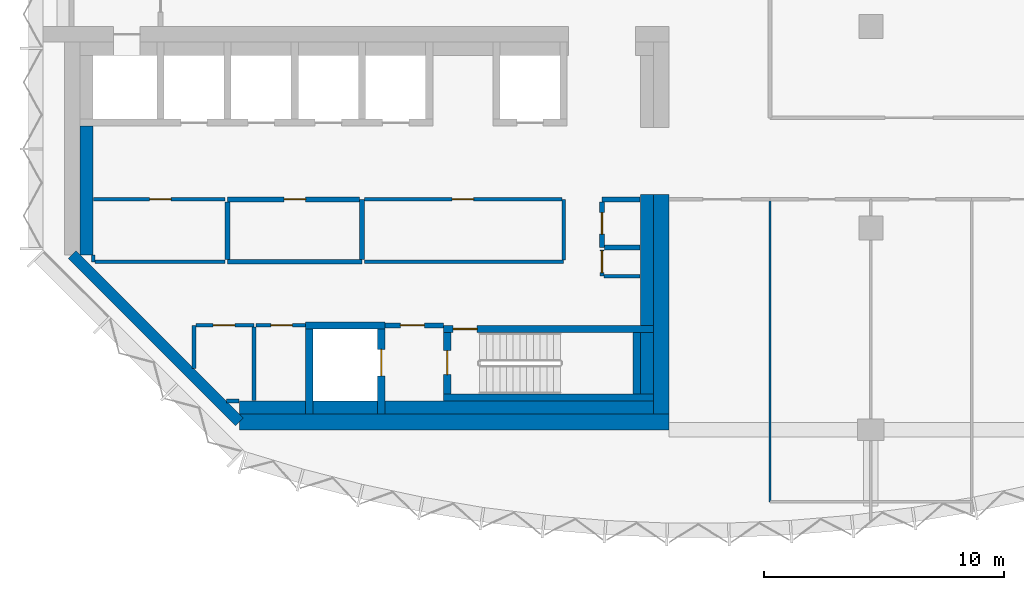
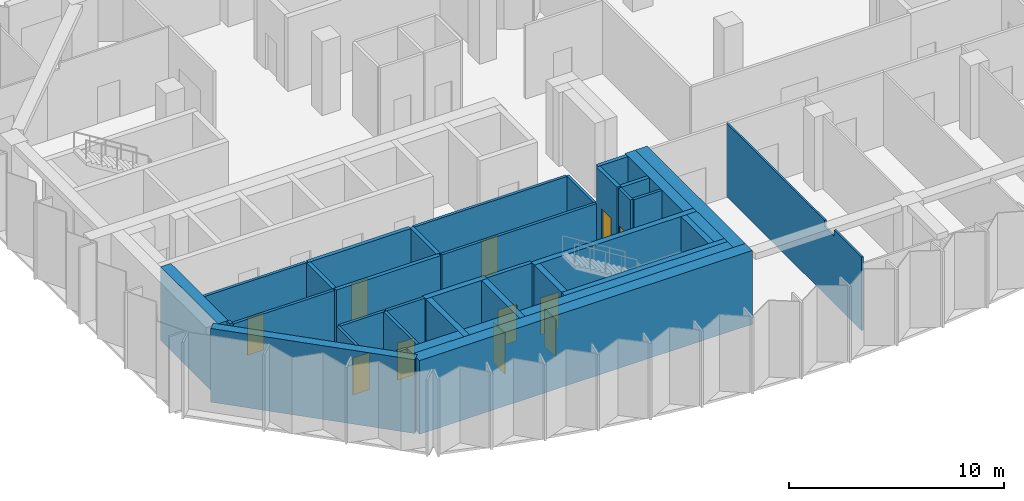
# One storey, part 8 of 15: 38 walls, 11 doors, 11 openings.
"""IFC4 building model written with IfcOpenShell, lengths in metres."""

import ifcopenshell
import ifcopenshell.guid

model = None  # the IFC model being written
_history = None  # IfcOwnerHistory: only IFC2X3 demands one
_inside = {}  # id of a spatial element -> (the spatial element, [elements in it])
_under = {}  # id of a project, library or spatial element -> (it, [spatial elements below it])
_declared = {}  # id of a project -> (the project, [libraries it declares])
_typed = {}  # id of a type object -> (the type object, [elements of that type])
_made_of = {}  # id of a material, layer set ... -> (it, [elements and type objects made of it])


def new_model(schema):
    """Start an empty IFC model of exactly this schema.

    Asked for "IFC4X3", IfcOpenShell would pick the latest addendum, in which some entities
    have other attributes; the version numbers below select the first issue.
    IFC2X3 requires an IfcOwnerHistory on every rooted entity: one is made here for all.
    """
    global model, _history
    if schema == "IFC4X3":
        model = ifcopenshell.file(schema_version=(4, 3, 0, 0))
    else:
        model = ifcopenshell.file(schema=schema)
    _inside.clear()
    _under.clear()
    _declared.clear()
    _typed.clear()
    _made_of.clear()
    _history = None
    if model.schema == "IFC2X3":
        org = make("IfcOrganization", Name="unknown")
        user = make(
            "IfcPersonAndOrganization",
            ThePerson=make("IfcPerson", FamilyName="unknown"),
            TheOrganization=org,
        )
        app = make(
            "IfcApplication",
            ApplicationDeveloper=org,
            Version="unknown",
            ApplicationFullName="unknown",
            ApplicationIdentifier="unknown",
        )
        _history = make(
            "IfcOwnerHistory",
            OwningUser=user,
            OwningApplication=app,
            ChangeAction="ADDED",
            CreationDate=0,
        )
    return model


def make(cls, **values):
    """One entity of the class cls with the attributes given. An attribute that is None is left unset."""
    return model.create_entity(
        cls, **{name: value for name, value in values.items() if value is not None}
    )


def rooted(cls, **values):
    """An entity with a GlobalId (a new one), such as an element, a storey or a relation."""
    return make(cls, GlobalId=ifcopenshell.guid.new(), OwnerHistory=_history, **values)


def si_unit(unit_type, name, prefix=None):
    """IfcSIUnit, for example si_unit("LENGTHUNIT", "METRE", prefix="MILLI")."""
    return make("IfcSIUnit", UnitType=unit_type, Prefix=prefix, Name=name)


def assignment(units):
    """IfcUnitAssignment: the units of a project."""
    return None if units is None else make("IfcUnitAssignment", Units=units)


def point(xyz):
    """IfcCartesianPoint."""
    return None if xyz is None else make("IfcCartesianPoint", Coordinates=xyz)


def direction(xyz):
    """IfcDirection."""
    return None if xyz is None else make("IfcDirection", DirectionRatios=xyz)


def frame(location, z_axis=None, x_axis=None):
    """IfcAxis2Placement3D, a coordinate frame: its origin and axes. An axis left out is left unset."""
    return make(
        "IfcAxis2Placement3D",
        Location=point(location),
        Axis=direction(z_axis),
        RefDirection=direction(x_axis),
    )


def frame_2d(location, x_axis=None):
    """IfcAxis2Placement2D, a coordinate frame in the plane: its origin and x axis."""
    return make(
        "IfcAxis2Placement2D", Location=point(location), RefDirection=direction(x_axis)
    )


def origin():
    """The frame at (0, 0, 0) with its axes left unset."""
    return frame((0.0, 0.0, 0.0))


def place(relative_to, where):
    """IfcLocalPlacement: puts the frame where relative to a parent placement (None: the world)."""
    return make(
        "IfcLocalPlacement", PlacementRelTo=relative_to, RelativePlacement=where
    )


def context(
    kind, dimensions, precision=None, world=None, true_north=None, identifier=None
):
    """IfcGeometricRepresentationContext, for example the 3D "Model" context."""
    return make(
        "IfcGeometricRepresentationContext",
        ContextIdentifier=identifier,
        ContextType=kind,
        CoordinateSpaceDimension=dimensions,
        Precision=precision,
        WorldCoordinateSystem=world,
        TrueNorth=true_north,
    )


def subcontext(parent, identifier, kind, view, scale=None):
    """IfcGeometricRepresentationSubContext, for example "Body" below "Model"."""
    return make(
        "IfcGeometricRepresentationSubContext",
        ContextIdentifier=identifier,
        ContextType=kind,
        ParentContext=parent,
        TargetScale=scale,
        TargetView=view,
    )


def project(units=None, contexts=None):
    """IfcProject with its units and contexts."""
    return rooted(
        "IfcProject",
        Name="project",
        RepresentationContexts=contexts,
        UnitsInContext=assignment(units),
    )


def spatial(cls, under=None, at=None, **own):
    """A site, building, storey or space (cls), placed at a placement, below another one or the project."""
    s = rooted(cls, ObjectPlacement=at, **own)
    if under is not None:
        _under.setdefault(under.id(), (under, []))[1].append(s)
    return s


def polyline(points):
    """IfcPolyline through the points."""
    return make("IfcPolyline", Points=[point(p) for p in points])


def profile(cls, at=None, kind="AREA", **sizes):
    """A parametric profile (cls). Its sizes go by their IFC names, for example OverallWidth=200.0."""
    return make(cls, ProfileType=kind, Position=at, **sizes)


def rectangle(**sizes):
    """IfcRectangleProfileDef."""
    return profile("IfcRectangleProfileDef", **sizes)


def outline(outer, holes=None, kind="AREA"):
    """IfcArbitraryClosedProfileDef: a profile drawn as a closed curve; with holes, ...WithVoids."""
    if holes is None:
        return make("IfcArbitraryClosedProfileDef", ProfileType=kind, OuterCurve=outer)
    return make(
        "IfcArbitraryProfileDefWithVoids",
        ProfileType=kind,
        OuterCurve=outer,
        InnerCurves=holes,
    )


def extrude(swept, where, along, depth):
    """IfcExtrudedAreaSolid: the profile swept, set in the frame where, extruded along a direction by depth."""
    return make(
        "IfcExtrudedAreaSolid",
        SweptArea=swept,
        Position=where,
        ExtrudedDirection=direction(along),
        Depth=depth,
    )


def shape(context_of_items, identifier, shape_type, items):
    """IfcShapeRepresentation: the items that make up one representation, for example the "Body"."""
    return make(
        "IfcShapeRepresentation",
        ContextOfItems=context_of_items,
        RepresentationIdentifier=identifier,
        RepresentationType=shape_type,
        Items=items,
    )


def material(Name=None, Category=None):
    """IfcMaterial."""
    return make("IfcMaterial", Name=Name, Category=Category)


def layer(
    of_material, thickness, ventilated=None, Name=None, Category=None, Priority=None
):
    """IfcMaterialLayer: one layer of a wall or slab, of a material (None: an air gap)."""
    return make(
        "IfcMaterialLayer",
        Material=of_material,
        LayerThickness=thickness,
        IsVentilated=ventilated,
        Name=Name,
        Category=Category,
        Priority=Priority,
    )


def layer_set(layers, Name=None):
    """IfcMaterialLayerSet."""
    return make("IfcMaterialLayerSet", MaterialLayers=layers, LayerSetName=Name)


def made_of(thing, what):
    """Note that an element or type object is made of a material, layer set ...; save() writes the relation."""
    if what is not None:
        _made_of.setdefault(what.id(), (what, []))[1].append(thing)
    return thing


def type_object(cls, material=None, **own):
    """A type object (cls), such as IfcWallType, which elements share."""
    return made_of(rooted(cls, **own), material)


def element(
    cls,
    number,
    at=None,
    inside=None,
    cuts=None,
    type_object=None,
    material=None,
    context=None,
    identifier="Body",
    shape_type=None,
    held_by="IfcProductDefinitionShape",
    body=None,
    shapes=None,
    **own,
):
    """One element of the class cls, such as IfcWall. Its Tag is "e" and its number.

    at: its placement. inside: the storey or other place that contains it. cuts: it is an
    opening in that element (IfcRelVoidsElement). A single representation is given by context,
    identifier, shape_type and body (its items); several are given by shapes. held_by: the class
    of the entity that holds the representations. save() writes the other relations.
    """
    e = rooted(cls, Tag="e%d" % number, ObjectPlacement=at, **own)
    if body is not None:
        shapes = [shape(context, identifier, shape_type, body)]
    if shapes is not None:
        e.Representation = make(held_by, Representations=shapes)
    if inside is not None:
        _inside.setdefault(inside.id(), (inside, []))[1].append(e)
    if cuts is not None:
        rooted(
            "IfcRelVoidsElement", RelatingBuildingElement=cuts, RelatedOpeningElement=e
        )
    if type_object is not None:
        _typed.setdefault(type_object.id(), (type_object, []))[1].append(e)
    return made_of(e, material)


def fill(opening, filler):
    """IfcRelFillsElement: the door or window that sits in an opening."""
    return rooted(
        "IfcRelFillsElement",
        RelatingOpeningElement=opening,
        RelatedBuildingElement=filler,
    )


def aggregate(whole, parts):
    """IfcRelAggregates: a whole, such as a stair, and the parts it consists of."""
    return rooted("IfcRelAggregates", RelatingObject=whole, RelatedObjects=parts)


def save(model, path):
    """Write the relations noted so far, then the file.

    IfcRelAggregates (storeys below a building ...), IfcRelContainedInSpatialStructure (elements
    in a storey), IfcRelDefinesByType, IfcRelAssociatesMaterial and IfcRelDeclares: one each for
    every whole, place, type object, material and project.
    """
    for whole, parts in _under.values():
        aggregate(whole, parts)
    for where, things in _inside.values():
        rooted(
            "IfcRelContainedInSpatialStructure",
            RelatedElements=things,
            RelatingStructure=where,
        )
    for kind, things in _typed.values():
        rooted("IfcRelDefinesByType", RelatedObjects=things, RelatingType=kind)
    for what, things in _made_of.values():
        rooted("IfcRelAssociatesMaterial", RelatedObjects=things, RelatingMaterial=what)
    for by, libraries in _declared.values():
        rooted("IfcRelDeclares", RelatingContext=by, RelatedDefinitions=libraries)
    model.write(path)


model = new_model("IFC4")

# Units and contexts
model_context = context("Model", 3, precision=1e-05, world=origin(), true_north=direction((0.0, 1.0)))
body_context = subcontext(model_context, "Body", "Model", "MODEL_VIEW")
ifc_project = project(units=[si_unit("LENGTHUNIT", "METRE"), si_unit("AREAUNIT", "SQUARE_METRE"), si_unit("VOLUMEUNIT", "CUBIC_METRE"), si_unit("PLANEANGLEUNIT", "RADIAN"), si_unit("MASSUNIT", "GRAM", prefix="KILO")], contexts=[model_context])

# Site, building, storey
site_placement = place(None, origin())
site = spatial("IfcSite", under=ifc_project, at=site_placement, CompositionType="ELEMENT")
building_placement = place(site_placement, origin())
building = spatial("IfcBuilding", under=site, at=building_placement, Name="Brevane Broadcast Tower", CompositionType="ELEMENT")
storey_placement = place(building_placement, frame((0.0, 0.0, 206.39990234375)))
storey = spatial("IfcBuildingStorey", under=building, at=storey_placement, Name="L52", CompositionType="ELEMENT", Elevation=206.39990234375)

# Walls
ifc_material_1 = material(Name="Concrete C32/40", Category="concrete")
ifc_layer_1 = layer(ifc_material_1, 0.550048828125)
ifc_layer_set_1 = layer_set([ifc_layer_1], Name="Core chase wall 550 mm")
wall_type_1 = type_object("IfcWallType", Name="Core chase wall 550 mm", PredefinedType="PARTITIONING", material=ifc_layer_set_1)
wall_1_placement = place(storey_placement, frame((0.925048828125, 7.286376953125, 0.0), z_axis=(0.0, 0.0, 1.0), x_axis=(0.0, 1.0, 0.0)))
element("IfcWall", 1, at=wall_1_placement, inside=storey, type_object=wall_type_1, Name="L52 chase wall LW-1", PredefinedType="PARTITIONING", context=body_context, shape_type="SweptSolid", body=[
    extrude(rectangle(XDim=5.363525390625, YDim=0.550048828125, at=frame_2d((2.681640625, 0.0))), origin(), (0.0, 0.0, 1.0), 4.2001953125),
])
wall_2_placement = place(storey_placement, frame((7.286376953125, 0.925048828125, 0.0), z_axis=(0.0, 0.0, 1.0), x_axis=(1.0, 0.0, 0.0)))
element("IfcWall", 2, at=wall_2_placement, inside=storey, type_object=wall_type_1, Name="L52 chase wall LS-1", PredefinedType="PARTITIONING", context=body_context, shape_type="SweptSolid", body=[
    extrude(rectangle(XDim=2.763671875, YDim=0.550048828125, at=frame_2d((1.3818359375, 0.0))), origin(), (0.0, 0.0, 1.0), 4.2001953125),
])
wall_3_placement = place(storey_placement, frame((10.35009765625, 0.925048828125, 0.0), z_axis=(0.0, 0.0, 1.0), x_axis=(1.0, 0.0, 0.0)))
element("IfcWall", 3, at=wall_3_placement, inside=storey, type_object=wall_type_1, Name="L52 chase wall LS-2-1", PredefinedType="PARTITIONING", context=body_context, shape_type="SweptSolid", body=[
    extrude(rectangle(XDim=2.699951171875, YDim=0.550048828125, at=frame_2d((1.35009765625, 0.0))), origin(), (0.0, 0.0, 1.0), 4.2001953125),
])
wall_4_placement = place(storey_placement, frame((13.35009765625, 0.925048828125, 0.0), z_axis=(0.0, 0.0, 1.0), x_axis=(1.0, 0.0, 0.0)))
element("IfcWall", 4, at=wall_4_placement, inside=storey, type_object=wall_type_1, Name="L52 chase wall LS-2-2", PredefinedType="PARTITIONING", context=body_context, shape_type="SweptSolid", body=[
    extrude(rectangle(XDim=11.199951171875, YDim=0.550048828125, at=frame_2d((5.60009765625, 0.0))), origin(), (0.0, 0.0, 1.0), 4.2001953125),
])
wall_5_placement = place(storey_placement, frame((24.27490234375, 1.5, 0.0), z_axis=(0.0, 0.0, 1.0), x_axis=(0.0, 1.0, 0.0)))
element("IfcWall", 5, at=wall_5_placement, inside=storey, type_object=wall_type_1, Name="L52 chase wall LE1-2-1", PredefinedType="PARTITIONING", context=body_context, shape_type="SweptSolid", body=[
    extrude(rectangle(XDim=2.550048828125, YDim=0.550048828125, at=frame_2d((1.27490234375, 0.0))), origin(), (0.0, 0.0, 1.0), 4.2001953125),
])
wall_6_placement = place(storey_placement, frame((24.27490234375, 4.35009765625, 0.0), z_axis=(0.0, 0.0, 1.0), x_axis=(0.0, 1.0, 0.0)))
element("IfcWall", 6, at=wall_6_placement, inside=storey, type_object=wall_type_1, Name="L52 chase wall LE1-2-2", PredefinedType="PARTITIONING", context=body_context, shape_type="SweptSolid", body=[
    extrude(rectangle(XDim=5.449951171875, YDim=0.550048828125, at=frame_2d((2.72509765625, 0.0))), origin(), (0.0, 0.0, 1.0), 4.2001953125),
])
ifc_material_2 = material(Name="Gypsum board on steel studs", Category="steel")
ifc_layer_2 = layer(ifc_material_2, 0.14990234375)
ifc_layer_set_2 = layer_set([ifc_layer_2], Name="Core fire partition 150 mm")
wall_type_2 = type_object("IfcWallType", Name="Core fire partition 150 mm", PredefinedType="PARTITIONING", material=ifc_layer_set_2)
wall_7_placement = place(storey_placement, frame((5.39990234375, 2.553466796875, 0.0), z_axis=(0.0, 0.0, 1.0), x_axis=(0.0, 1.0, 0.0)))
element("IfcWall", 7, at=wall_7_placement, inside=storey, type_object=wall_type_2, Name="L52 partition wall P11", PredefinedType="PARTITIONING", context=body_context, shape_type="SweptSolid", body=[
    extrude(rectangle(XDim=1.796630859375, YDim=0.14990234375, at=frame_2d((0.8984375, 0.0))), origin(), (0.0, 0.0, 1.0), 4.2001953125),
])

# Wall, opening, door
wall_8_placement = place(storey_placement, frame((5.47509765625, 4.35009765625, 0.0), z_axis=(0.0, 0.0, 1.0), x_axis=(1.0, 0.0, 0.0)))
wall_8 = element("IfcWall", 8, at=wall_8_placement, inside=storey, type_object=wall_type_2, Name="L52 partition wall P12", PredefinedType="PARTITIONING", context=body_context, shape_type="SweptSolid", body=[
    extrude(rectangle(XDim=2.4248046875, YDim=0.14990234375, at=frame_2d((1.21240234375, 0.0))), origin(), (0.0, 0.0, 1.0), 4.2001953125),
])
opening_1_placement = place(wall_8_placement, frame((0.72509765625, 0.0, 0.0)))
opening_1 = element("IfcOpeningElement", 9, at=opening_1_placement, cuts=wall_8, Name="Opening L52-K14", PredefinedType="OPENING", context=body_context, shape_type="SweptSolid", body=[
    extrude(rectangle(XDim=0.89990234375, YDim=2.10009765625, at=frame_2d((0.449951171875, 1.050048828125))), frame((0.0, 0.0849609375, 0.0), z_axis=(0.0, -1.0, 0.0), x_axis=(1.0, 0.0, 0.0)), (0.0, 0.0, 1.0), 0.169921875),
])
ifc_material_3 = material(Name="Timber", Category="wood")
door_type_1 = type_object("IfcDoorType", Name="Toilet door 900 x 2100", OperationType="SINGLE_SWING_LEFT", PredefinedType="DOOR", material=ifc_material_3)
door_1_placement = place(opening_1_placement, origin())
door_1 = element("IfcDoor", 10, at=door_1_placement, inside=storey, type_object=door_type_1, Name="Door L52-K14", OperationType="SINGLE_SWING_LEFT", OverallHeight=2.10009765625, OverallWidth=0.89990234375, PredefinedType="DOOR", context=body_context, shape_type="SweptSolid", body=[
    extrude(rectangle(XDim=0.89990234375, YDim=2.10009765625, at=frame_2d((0.449951171875, 1.050048828125))), frame((0.0, 0.02490234375, 0.0), z_axis=(0.0, -1.0, 0.0), x_axis=(1.0, 0.0, 0.0)), (0.0, 0.0, 1.0), 0.050048828125),
])
fill(opening_1, door_1)

# Walls
wall_9_placement = place(storey_placement, frame((7.89990234375, 4.27490234375, 0.0), z_axis=(0.0, 0.0, 1.0), x_axis=(0.0, -1.0, 0.0)))
element("IfcWall", 11, at=wall_9_placement, inside=storey, type_object=wall_type_2, Name="L52 partition wall P13", PredefinedType="PARTITIONING", context=body_context, shape_type="SweptSolid", body=[
    extrude(rectangle(XDim=3.06298828125, YDim=0.14990234375, at=frame_2d((1.531494140625, 0.0))), origin(), (0.0, 0.0, 1.0), 4.2001953125),
])
wall_10_placement = place(storey_placement, frame((7.2744140625, 1.199951171875, 0.0), z_axis=(0.0, 0.0, 1.0), x_axis=(-1.0, 0.0, 0.0)))
element("IfcWall", 12, at=wall_10_placement, inside=storey, type_object=wall_type_2, Name="L52 partition wall P14", PredefinedType="PARTITIONING", context=body_context, shape_type="SweptSolid", body=[
    extrude(rectangle(XDim=0.52099609375, YDim=0.14990234375, at=frame_2d((0.260498046875, 0.0))), origin(), (0.0, 0.0, 1.0), 4.2001953125),
])

# Wall, opening, door
wall_11_placement = place(storey_placement, frame((6.699951171875, 9.60009765625, 0.0), z_axis=(0.0, 0.0, 1.0), x_axis=(-1.0, 0.0, 0.0)))
wall_11 = element("IfcWall", 13, at=wall_11_placement, inside=storey, type_object=wall_type_2, Name="L52 partition wall P15", PredefinedType="PARTITIONING", context=body_context, shape_type="SweptSolid", body=[
    extrude(rectangle(XDim=5.488037109375, YDim=0.14990234375, at=frame_2d((2.744140625, 0.0))), origin(), (0.0, 0.0, 1.0), 4.2001953125),
])
opening_2_placement = place(wall_11_placement, frame((2.25, 0.0, 0.0)))
opening_2 = element("IfcOpeningElement", 14, at=opening_2_placement, cuts=wall_11, Name="Opening L52-K19", PredefinedType="OPENING", context=body_context, shape_type="SweptSolid", body=[
    extrude(rectangle(XDim=0.89990234375, YDim=2.10009765625, at=frame_2d((0.449951171875, 1.050048828125))), frame((0.0, 0.0849609375, 0.0), z_axis=(0.0, -1.0, 0.0), x_axis=(1.0, 0.0, 0.0)), (0.0, 0.0, 1.0), 0.169921875),
])
ifc_material_4 = material(Name="Steel", Category="steel")
door_type_2 = type_object("IfcDoorType", Name="Service room door 900 x 2100", OperationType="SINGLE_SWING_LEFT", PredefinedType="DOOR", material=ifc_material_4)
door_2_placement = place(opening_2_placement, origin())
door_2 = element("IfcDoor", 15, at=door_2_placement, inside=storey, type_object=door_type_2, Name="Door L52-K19", OperationType="SINGLE_SWING_RIGHT", OverallHeight=2.10009765625, OverallWidth=0.89990234375, PredefinedType="DOOR", context=body_context, shape_type="SweptSolid", body=[
    extrude(rectangle(XDim=0.89990234375, YDim=2.10009765625, at=frame_2d((0.449951171875, 1.050048828125))), frame((0.0, 0.02490234375, 0.0), z_axis=(0.0, -1.0, 0.0), x_axis=(1.0, 0.0, 0.0)), (0.0, 0.0, 1.0), 0.050048828125),
])
fill(opening_2, door_2)

# Walls
wall_12_placement = place(storey_placement, frame((1.199951171875, 7.2744140625, 0.0), z_axis=(0.0, 0.0, 1.0), x_axis=(0.0, -1.0, 0.0)))
element("IfcWall", 16, at=wall_12_placement, inside=storey, type_object=wall_type_2, Name="L52 partition wall P16", PredefinedType="PARTITIONING", context=body_context, shape_type="SweptSolid", body=[
    extrude(rectangle(XDim=0.2744140625, YDim=0.14990234375, at=frame_2d((0.13720703125, 0.0))), origin(), (0.0, 0.0, 1.0), 4.2001953125),
])
wall_13_placement = place(storey_placement, frame((1.27490234375, 7.0, 0.0), z_axis=(0.0, 0.0, 1.0), x_axis=(1.0, 0.0, 0.0)))
element("IfcWall", 17, at=wall_13_placement, inside=storey, type_object=wall_type_2, Name="L52 partition wall P17", PredefinedType="PARTITIONING", context=body_context, shape_type="SweptSolid", body=[
    extrude(rectangle(XDim=5.425048828125, YDim=0.14990234375, at=frame_2d((2.71240234375, 0.0))), origin(), (0.0, 0.0, 1.0), 4.2001953125),
])

# Wall, opening, door
wall_14_placement = place(storey_placement, frame((10.0380859375, 4.35009765625, 0.0), z_axis=(0.0, 0.0, 1.0), x_axis=(-1.0, 0.0, 0.0)))
wall_14 = element("IfcWall", 18, at=wall_14_placement, inside=storey, type_object=wall_type_2, Name="L52 partition wall P18", PredefinedType="PARTITIONING", context=body_context, shape_type="SweptSolid", body=[
    extrude(rectangle(XDim=2.06298828125, YDim=0.14990234375, at=frame_2d((1.031494140625, 0.0))), origin(), (0.0, 0.0, 1.0), 4.2001953125),
])
opening_3_placement = place(wall_14_placement, frame((0.5380859375, 0.0, 0.0)))
opening_3 = element("IfcOpeningElement", 19, at=opening_3_placement, cuts=wall_14, Name="Opening L52-K15", PredefinedType="OPENING", context=body_context, shape_type="SweptSolid", body=[
    extrude(rectangle(XDim=0.89990234375, YDim=2.10009765625, at=frame_2d((0.449951171875, 1.050048828125))), frame((0.0, 0.0849609375, 0.0), z_axis=(0.0, -1.0, 0.0), x_axis=(1.0, 0.0, 0.0)), (0.0, 0.0, 1.0), 0.169921875),
])
door_3_placement = place(opening_3_placement, origin())
door_3 = element("IfcDoor", 20, at=door_3_placement, inside=storey, type_object=door_type_1, Name="Door L52-K15", OperationType="SINGLE_SWING_RIGHT", OverallHeight=2.10009765625, OverallWidth=0.89990234375, PredefinedType="DOOR", context=body_context, shape_type="SweptSolid", body=[
    extrude(rectangle(XDim=0.89990234375, YDim=2.10009765625, at=frame_2d((0.449951171875, 1.050048828125))), frame((0.0, 0.02490234375, 0.0), z_axis=(0.0, -1.0, 0.0), x_axis=(1.0, 0.0, 0.0)), (0.0, 0.0, 1.0), 0.050048828125),
])
fill(opening_3, door_3)

# Walls
wall_15_placement = place(storey_placement, frame((12.5, 7.0, 0.0), z_axis=(0.0, 0.0, 1.0), x_axis=(1.0, 0.0, 0.0)))
element("IfcWall", 21, at=wall_15_placement, inside=storey, type_object=wall_type_2, Name="L52 partition wall P19", PredefinedType="PARTITIONING", context=body_context, shape_type="SweptSolid", body=[
    extrude(rectangle(XDim=8.300048828125, YDim=0.14990234375, at=frame_2d((4.14990234375, 0.0))), origin(), (0.0, 0.0, 1.0), 4.2001953125),
])
wall_16_placement = place(storey_placement, frame((20.800048828125, 7.074951171875, 0.0), z_axis=(0.0, 0.0, 1.0), x_axis=(0.0, 1.0, 0.0)))
element("IfcWall", 22, at=wall_16_placement, inside=storey, type_object=wall_type_2, Name="L52 partition wall P20", PredefinedType="PARTITIONING", context=body_context, shape_type="SweptSolid", body=[
    extrude(rectangle(XDim=2.525146484375, YDim=0.14990234375, at=frame_2d((1.2626953125, 0.0))), origin(), (0.0, 0.0, 1.0), 4.2001953125),
])

# Wall, opening, door
wall_17_placement = place(storey_placement, frame((20.72509765625, 9.60009765625, 0.0), z_axis=(0.0, 0.0, 1.0), x_axis=(-1.0, 0.0, 0.0)))
wall_17 = element("IfcWall", 23, at=wall_17_placement, inside=storey, type_object=wall_type_2, Name="L52 partition wall P21", PredefinedType="PARTITIONING", context=body_context, shape_type="SweptSolid", body=[
    extrude(rectangle(XDim=8.22509765625, YDim=0.14990234375, at=frame_2d((4.112548828125, 0.0))), origin(), (0.0, 0.0, 1.0), 4.2001953125),
])
opening_4_placement = place(wall_17_placement, frame((3.675048828125, 0.0, 0.0)))
opening_4 = element("IfcOpeningElement", 24, at=opening_4_placement, cuts=wall_17, Name="Opening L52-K21", PredefinedType="OPENING", context=body_context, shape_type="SweptSolid", body=[
    extrude(rectangle(XDim=0.89990234375, YDim=2.10009765625, at=frame_2d((0.449951171875, 1.050048828125))), frame((0.0, 0.0849609375, 0.0), z_axis=(0.0, -1.0, 0.0), x_axis=(1.0, 0.0, 0.0)), (0.0, 0.0, 1.0), 0.169921875),
])
door_4_placement = place(opening_4_placement, origin())
door_4 = element("IfcDoor", 25, at=door_4_placement, inside=storey, type_object=door_type_2, Name="Door L52-K21", OperationType="SINGLE_SWING_RIGHT", OverallHeight=2.10009765625, OverallWidth=0.89990234375, PredefinedType="DOOR", context=body_context, shape_type="SweptSolid", body=[
    extrude(rectangle(XDim=0.89990234375, YDim=2.10009765625, at=frame_2d((0.449951171875, 1.050048828125))), frame((0.0, 0.02490234375, 0.0), z_axis=(0.0, -1.0, 0.0), x_axis=(1.0, 0.0, 0.0)), (0.0, 0.0, 1.0), 0.050048828125),
])
fill(opening_4, door_4)

wall_18_placement = place(storey_placement, frame((22.39990234375, 7.5, 0.0), z_axis=(0.0, 0.0, 1.0), x_axis=(0.0, -1.0, 0.0)))
wall_18 = element("IfcWall", 26, at=wall_18_placement, inside=storey, type_object=wall_type_2, Name="L52 partition wall P29", PredefinedType="PARTITIONING", context=body_context, shape_type="SweptSolid", body=[
    extrude(rectangle(XDim=1.10009765625, YDim=0.14990234375, at=frame_2d((0.550048828125, 0.0))), origin(), (0.0, 0.0, 1.0), 4.2001953125),
])
opening_5_placement = place(wall_18_placement, frame((0.050048828125, 0.0, 0.0)))
opening_5 = element("IfcOpeningElement", 27, at=opening_5_placement, cuts=wall_18, Name="Opening L52-K17", PredefinedType="OPENING", context=body_context, shape_type="SweptSolid", body=[
    extrude(rectangle(XDim=0.89990234375, YDim=2.10009765625, at=frame_2d((0.449951171875, 1.050048828125))), frame((0.0, 0.0849609375, 0.0), z_axis=(0.0, -1.0, 0.0), x_axis=(1.0, 0.0, 0.0)), (0.0, 0.0, 1.0), 0.169921875),
])
door_5_placement = place(opening_5_placement, origin())
door_5 = element("IfcDoor", 28, at=door_5_placement, inside=storey, type_object=door_type_2, Name="Door L52-K17", OperationType="SINGLE_SWING_RIGHT", OverallHeight=2.10009765625, OverallWidth=0.89990234375, PredefinedType="DOOR", context=body_context, shape_type="SweptSolid", body=[
    extrude(rectangle(XDim=0.89990234375, YDim=2.10009765625, at=frame_2d((0.449951171875, 1.050048828125))), frame((0.0, 0.02490234375, 0.0), z_axis=(0.0, -1.0, 0.0), x_axis=(1.0, 0.0, 0.0)), (0.0, 0.0, 1.0), 0.050048828125),
])
fill(opening_5, door_5)

# Wall
wall_19_placement = place(storey_placement, frame((22.47509765625, 6.39990234375, 0.0), z_axis=(0.0, 0.0, 1.0), x_axis=(1.0, 0.0, 0.0)))
element("IfcWall", 29, at=wall_19_placement, inside=storey, type_object=wall_type_2, Name="L52 partition wall P30", PredefinedType="PARTITIONING", context=body_context, shape_type="SweptSolid", body=[
    extrude(rectangle(XDim=1.512939453125, YDim=0.14990234375, at=frame_2d((0.75634765625, 0.0))), origin(), (0.0, 0.0, 1.0), 4.2001953125),
])

# Wall, opening, door
ifc_layer_3 = layer(ifc_material_2, 0.199951171875)
ifc_layer_set_3 = layer_set([ifc_layer_3], Name="Core fire partition 200 mm")
wall_type_3 = type_object("IfcWallType", Name="Core fire partition 200 mm", PredefinedType="PARTITIONING", material=ifc_layer_set_3)
wall_20_placement = place(storey_placement, frame((13.362060546875, 4.35009765625, 0.0), z_axis=(0.0, 0.0, 1.0), x_axis=(1.0, 0.0, 0.0)))
wall_20 = element("IfcWall", 30, at=wall_20_placement, inside=storey, type_object=wall_type_3, Name="L52 partition wall P03", PredefinedType="PARTITIONING", context=body_context, shape_type="SweptSolid", body=[
    extrude(rectangle(XDim=2.426025390625, YDim=0.199951171875, at=frame_2d((1.212890625, 0.0))), origin(), (0.0, 0.0, 1.0), 4.2001953125),
])
opening_6_placement = place(wall_20_placement, frame((0.637939453125, 0.0, 0.0)))
opening_6 = element("IfcOpeningElement", 31, at=opening_6_placement, cuts=wall_20, Name="Opening L52-K16", PredefinedType="OPENING", context=body_context, shape_type="SweptSolid", body=[
    extrude(rectangle(XDim=1.0, YDim=2.10009765625, at=frame_2d((0.5, 1.050048828125))), frame((0.0, 0.10986328125, 0.0), z_axis=(0.0, -1.0, 0.0), x_axis=(1.0, 0.0, 0.0)), (0.0, 0.0, 1.0), 0.219970703125),
])
door_type_3 = type_object("IfcDoorType", Name="Stair door 1000 x 2100", OperationType="SINGLE_SWING_LEFT", PredefinedType="DOOR", material=ifc_material_4)
door_6_placement = place(opening_6_placement, origin())
door_6 = element("IfcDoor", 32, at=door_6_placement, inside=storey, type_object=door_type_3, Name="Door L52-K16", OperationType="SINGLE_SWING_LEFT", OverallHeight=2.10009765625, OverallWidth=1.0, PredefinedType="DOOR", context=body_context, shape_type="SweptSolid", body=[
    extrude(rectangle(XDim=1.0, YDim=2.10009765625, at=frame_2d((0.5, 1.050048828125))), frame((0.0, 0.02490234375, 0.0), z_axis=(0.0, -1.0, 0.0), x_axis=(1.0, 0.0, 0.0)), (0.0, 0.0, 1.0), 0.050048828125),
])
fill(opening_6, door_6)

# Wall
wall_21_placement = place(storey_placement, frame((23.988037109375, 9.60009765625, 0.0), z_axis=(0.0, 0.0, 1.0), x_axis=(-1.0, 0.0, 0.0)))
element("IfcWall", 33, at=wall_21_placement, inside=storey, type_object=wall_type_3, Name="L52 partition wall P04", PredefinedType="PARTITIONING", context=body_context, shape_type="SweptSolid", body=[
    extrude(rectangle(XDim=1.588134765625, YDim=0.199951171875, at=frame_2d((0.7939453125, 0.0))), origin(), (0.0, 0.0, 1.0), 4.2001953125),
])

# Wall, opening, door
wall_22_placement = place(storey_placement, frame((22.39990234375, 9.5, 0.0), z_axis=(0.0, 0.0, 1.0), x_axis=(0.0, -1.0, 0.0)))
wall_22 = element("IfcWall", 34, at=wall_22_placement, inside=storey, type_object=wall_type_3, Name="L52 partition wall P05", PredefinedType="PARTITIONING", context=body_context, shape_type="SweptSolid", body=[
    extrude(rectangle(XDim=1.89990234375, YDim=0.199951171875, at=frame_2d((0.949951171875, 0.0))), origin(), (0.0, 0.0, 1.0), 4.2001953125),
])
opening_7_placement = place(wall_22_placement, frame((0.449951171875, 0.0, 0.0)))
opening_7 = element("IfcOpeningElement", 35, at=opening_7_placement, cuts=wall_22, Name="Opening L52-K18", PredefinedType="OPENING", context=body_context, shape_type="SweptSolid", body=[
    extrude(rectangle(XDim=0.89990234375, YDim=2.10009765625, at=frame_2d((0.449951171875, 1.050048828125))), frame((0.0, 0.10986328125, 0.0), z_axis=(0.0, -1.0, 0.0), x_axis=(1.0, 0.0, 0.0)), (0.0, 0.0, 1.0), 0.219970703125),
])
door_7_placement = place(opening_7_placement, origin())
door_7 = element("IfcDoor", 36, at=door_7_placement, inside=storey, type_object=door_type_2, Name="Door L52-K18", OperationType="SINGLE_SWING_LEFT", OverallHeight=2.10009765625, OverallWidth=0.89990234375, PredefinedType="DOOR", context=body_context, shape_type="SweptSolid", body=[
    extrude(rectangle(XDim=0.89990234375, YDim=2.10009765625, at=frame_2d((0.449951171875, 1.050048828125))), frame((0.0, 0.02490234375, 0.0), z_axis=(0.0, -1.0, 0.0), x_axis=(1.0, 0.0, 0.0)), (0.0, 0.0, 1.0), 0.050048828125),
])
fill(opening_7, door_7)

# Walls
wall_23_placement = place(storey_placement, frame((22.5, 7.60009765625, 0.0), z_axis=(0.0, 0.0, 1.0), x_axis=(1.0, 0.0, 0.0)))
element("IfcWall", 37, at=wall_23_placement, inside=storey, type_object=wall_type_3, Name="L52 partition wall P06", PredefinedType="PARTITIONING", context=body_context, shape_type="SweptSolid", body=[
    extrude(rectangle(XDim=1.488037109375, YDim=0.199951171875, at=frame_2d((0.744140625, 0.0))), origin(), (0.0, 0.0, 1.0), 4.2001953125),
])
wall_24_placement = place(storey_placement, frame((6.800048828125, 7.0, 0.0), z_axis=(0.0, 0.0, 1.0), x_axis=(1.0, 0.0, 0.0)))
element("IfcWall", 38, at=wall_24_placement, inside=storey, type_object=wall_type_3, Name="L52 partition wall P07", PredefinedType="PARTITIONING", context=body_context, shape_type="SweptSolid", body=[
    extrude(rectangle(XDim=5.599853515625, YDim=0.199951171875, at=frame_2d((2.7998046875, 0.0))), origin(), (0.0, 0.0, 1.0), 4.2001953125),
])
wall_25_placement = place(storey_placement, frame((12.39990234375, 7.10009765625, 0.0), z_axis=(0.0, 0.0, 1.0), x_axis=(0.0, 1.0, 0.0)))
element("IfcWall", 39, at=wall_25_placement, inside=storey, type_object=wall_type_3, Name="L52 partition wall P08", PredefinedType="PARTITIONING", context=body_context, shape_type="SweptSolid", body=[
    extrude(rectangle(XDim=2.5, YDim=0.199951171875, at=frame_2d((1.25, 0.0))), origin(), (0.0, 0.0, 1.0), 4.2001953125),
])

# Wall, opening, door
wall_26_placement = place(storey_placement, frame((12.300048828125, 9.60009765625, 0.0), z_axis=(0.0, 0.0, 1.0), x_axis=(-1.0, 0.0, 0.0)))
wall_26 = element("IfcWall", 40, at=wall_26_placement, inside=storey, type_object=wall_type_3, Name="L52 partition wall P09", PredefinedType="PARTITIONING", context=body_context, shape_type="SweptSolid", body=[
    extrude(rectangle(XDim=5.5, YDim=0.199951171875, at=frame_2d((2.75, 0.0))), origin(), (0.0, 0.0, 1.0), 4.2001953125),
])
opening_8_placement = place(wall_26_placement, frame((2.25, 0.0, 0.0)))
opening_8 = element("IfcOpeningElement", 41, at=opening_8_placement, cuts=wall_26, Name="Opening L52-K20", PredefinedType="OPENING", context=body_context, shape_type="SweptSolid", body=[
    extrude(rectangle(XDim=0.89990234375, YDim=2.10009765625, at=frame_2d((0.449951171875, 1.050048828125))), frame((0.0, 0.10986328125, 0.0), z_axis=(0.0, -1.0, 0.0), x_axis=(1.0, 0.0, 0.0)), (0.0, 0.0, 1.0), 0.219970703125),
])
door_8_placement = place(opening_8_placement, origin())
door_8 = element("IfcDoor", 42, at=door_8_placement, inside=storey, type_object=door_type_2, Name="Door L52-K20", OperationType="SINGLE_SWING_LEFT", OverallHeight=2.10009765625, OverallWidth=0.89990234375, PredefinedType="DOOR", context=body_context, shape_type="SweptSolid", body=[
    extrude(rectangle(XDim=0.89990234375, YDim=2.10009765625, at=frame_2d((0.449951171875, 1.050048828125))), frame((0.0, 0.02490234375, 0.0), z_axis=(0.0, -1.0, 0.0), x_axis=(1.0, 0.0, 0.0)), (0.0, 0.0, 1.0), 0.050048828125),
])
fill(opening_8, door_8)

# Walls
wall_27_placement = place(storey_placement, frame((6.800048828125, 9.5, 0.0), z_axis=(0.0, 0.0, 1.0), x_axis=(0.0, -1.0, 0.0)))
element("IfcWall", 43, at=wall_27_placement, inside=storey, type_object=wall_type_3, Name="L52 partition wall P10", PredefinedType="PARTITIONING", context=body_context, shape_type="SweptSolid", body=[
    extrude(rectangle(XDim=2.39990234375, YDim=0.199951171875, at=frame_2d((1.199951171875, 0.0))), origin(), (0.0, 0.0, 1.0), 4.2001953125),
])
ifc_material_5 = material(Name="Concrete C60/75", Category="concrete")
ifc_layer_4 = layer(ifc_material_5, 0.300048828125)
ifc_layer_set_4 = layer_set([ifc_layer_4], Name="Core wall 300 mm C60/75")
wall_type_4 = type_object("IfcWallType", Name="Core wall 300 mm C60/75", PredefinedType="SHEAR", material=ifc_layer_set_4)
wall_28_placement = place(storey_placement, frame((10.199951171875, 0.64990234375, 0.0), z_axis=(0.0, 0.0, 1.0), x_axis=(0.0, 1.0, 0.0)))
element("IfcWall", 44, at=wall_28_placement, inside=storey, type_object=wall_type_4, Name="L52 shaft wall FF2-W", PredefinedType="SHEAR", context=body_context, shape_type="SweptSolid", body=[
    extrude(rectangle(XDim=3.550048828125, YDim=0.300048828125, at=frame_2d((1.77490234375, 0.0))), origin(), (0.0, 0.0, 1.0), 4.2001953125),
])

# Wall, opening, door
wall_29_placement = place(storey_placement, frame((13.199951171875, 0.64990234375, 0.0), z_axis=(0.0, 0.0, 1.0), x_axis=(0.0, 1.0, 0.0)))
wall_29 = element("IfcWall", 45, at=wall_29_placement, inside=storey, type_object=wall_type_4, Name="L52 shaft wall FF2-E", PredefinedType="SHEAR", context=body_context, shape_type="SweptSolid", body=[
    extrude(rectangle(XDim=3.550048828125, YDim=0.300048828125, at=frame_2d((1.77490234375, 0.0))), origin(), (0.0, 0.0, 1.0), 4.2001953125),
])
opening_9_placement = place(wall_29_placement, frame((1.60009765625, 0.0, 0.0)))
opening_9 = element("IfcOpeningElement", 46, at=opening_9_placement, cuts=wall_29, Name="Opening LD", PredefinedType="OPENING", context=body_context, shape_type="SweptSolid", body=[
    extrude(rectangle(XDim=1.10009765625, YDim=2.300048828125, at=frame_2d((0.550048828125, 1.14990234375))), frame((0.0, 0.159912109375, 0.0), z_axis=(0.0, -1.0, 0.0), x_axis=(1.0, 0.0, 0.0)), (0.0, 0.0, 1.0), 0.320068359375),
])
ifc_material_6 = material(Name="Stainless steel", Category="steel")
door_type_4 = type_object("IfcDoorType", Name="Lift landing door", OperationType="SLIDING_TO_LEFT", PredefinedType="DOOR", material=ifc_material_6)
door_9_placement = place(opening_9_placement, origin())
door_9 = element("IfcDoor", 47, at=door_9_placement, inside=storey, type_object=door_type_4, Name="Landing door FF2 L52", OperationType="SLIDING_TO_LEFT", OverallHeight=2.300048828125, OverallWidth=1.10009765625, PredefinedType="DOOR", context=body_context, shape_type="SweptSolid", body=[
    extrude(rectangle(XDim=1.10009765625, YDim=2.300048828125, at=frame_2d((0.550048828125, 1.14990234375))), frame((0.0, 0.02490234375, 0.0), z_axis=(0.0, -1.0, 0.0), x_axis=(1.0, 0.0, 0.0)), (0.0, 0.0, 1.0), 0.050048828125),
])
fill(opening_9, door_9)

# Walls
wall_30_placement = place(storey_placement, frame((10.050048828125, 4.35009765625, 0.0), z_axis=(0.0, 0.0, 1.0), x_axis=(1.0, 0.0, 0.0)))
element("IfcWall", 48, at=wall_30_placement, inside=storey, type_object=wall_type_4, Name="L52 shaft wall FF2-N", PredefinedType="SHEAR", context=body_context, shape_type="SweptSolid", body=[
    extrude(rectangle(XDim=3.300048828125, YDim=0.300048828125, at=frame_2d((1.64990234375, 0.0))), origin(), (0.0, 0.0, 1.0), 4.2001953125),
])
wall_31_placement = place(storey_placement, frame((15.800048828125, 1.35009765625, 0.0), z_axis=(0.0, 0.0, 1.0), x_axis=(1.0, 0.0, 0.0)))
element("IfcWall", 49, at=wall_31_placement, inside=storey, type_object=wall_type_4, Name="L52 stair wall ST-2-S", PredefinedType="SHEAR", context=body_context, shape_type="SweptSolid", body=[
    extrude(rectangle(XDim=8.75, YDim=0.300048828125, at=frame_2d((4.375, 0.0))), origin(), (0.0, 0.0, 1.0), 4.2001953125),
])

# Wall, opening, door
wall_32_placement = place(storey_placement, frame((15.800048828125, 4.199951171875, 0.0), z_axis=(0.0, 0.0, 1.0), x_axis=(1.0, 0.0, 0.0)))
wall_32 = element("IfcWall", 50, at=wall_32_placement, inside=storey, type_object=wall_type_4, Name="L52 stair wall ST-2-N", PredefinedType="SHEAR", context=body_context, shape_type="SweptSolid", body=[
    extrude(rectangle(XDim=8.75, YDim=0.300048828125, at=frame_2d((4.375, 0.0))), origin(), (0.0, 0.0, 1.0), 4.2001953125),
])
opening_10_placement = place(wall_32_placement, frame((0.39990234375, 0.0, 0.0)))
opening_10 = element("IfcOpeningElement", 51, at=opening_10_placement, cuts=wall_32, Name="Opening L52-K11", PredefinedType="OPENING", context=body_context, shape_type="SweptSolid", body=[
    extrude(rectangle(XDim=1.0, YDim=2.10009765625, at=frame_2d((0.5, 1.050048828125))), frame((0.0, 0.159912109375, 0.0), z_axis=(0.0, -1.0, 0.0), x_axis=(1.0, 0.0, 0.0)), (0.0, 0.0, 1.0), 0.320068359375),
])
door_10_placement = place(opening_10_placement, origin())
door_10 = element("IfcDoor", 52, at=door_10_placement, inside=storey, type_object=door_type_3, Name="Door L52-K11", OperationType="SINGLE_SWING_RIGHT", OverallHeight=2.10009765625, OverallWidth=1.0, PredefinedType="DOOR", context=body_context, shape_type="SweptSolid", body=[
    extrude(rectangle(XDim=1.0, YDim=2.10009765625, at=frame_2d((0.5, 1.050048828125))), frame((0.0, 0.02490234375, 0.0), z_axis=(0.0, -1.0, 0.0), x_axis=(1.0, 0.0, 0.0)), (0.0, 0.0, 1.0), 0.050048828125),
])
fill(opening_10, door_10)

wall_33_placement = place(storey_placement, frame((15.949951171875, 1.5, 0.0), z_axis=(0.0, 0.0, 1.0), x_axis=(0.0, 1.0, 0.0)))
wall_33 = element("IfcWall", 53, at=wall_33_placement, inside=storey, type_object=wall_type_4, Name="L52 stair wall ST-2-W", PredefinedType="SHEAR", context=body_context, shape_type="SweptSolid", body=[
    extrude(rectangle(XDim=2.550048828125, YDim=0.300048828125, at=frame_2d((1.27490234375, 0.0))), origin(), (0.0, 0.0, 1.0), 4.2001953125),
])
opening_11_placement = place(wall_33_placement, frame((0.800048828125, 0.0, 0.0)))
opening_11 = element("IfcOpeningElement", 54, at=opening_11_placement, cuts=wall_33, Name="Opening L52-K10", PredefinedType="OPENING", context=body_context, shape_type="SweptSolid", body=[
    extrude(rectangle(XDim=1.0, YDim=2.10009765625, at=frame_2d((0.5, 1.050048828125))), frame((0.0, 0.159912109375, 0.0), z_axis=(0.0, -1.0, 0.0), x_axis=(1.0, 0.0, 0.0)), (0.0, 0.0, 1.0), 0.320068359375),
])
door_11_placement = place(opening_11_placement, origin())
door_11 = element("IfcDoor", 55, at=door_11_placement, inside=storey, type_object=door_type_3, Name="Door L52-K10", OperationType="SINGLE_SWING_LEFT", OverallHeight=2.10009765625, OverallWidth=1.0, PredefinedType="DOOR", context=body_context, shape_type="SweptSolid", body=[
    extrude(rectangle(XDim=1.0, YDim=2.10009765625, at=frame_2d((0.5, 1.050048828125))), frame((0.0, 0.02490234375, 0.0), z_axis=(0.0, -1.0, 0.0), x_axis=(1.0, 0.0, 0.0)), (0.0, 0.0, 1.0), 0.050048828125),
])
fill(opening_11, door_11)

# Walls
wall_34_placement = place(storey_placement, frame((23.85009765625, 1.5, 0.0), z_axis=(0.0, 0.0, 1.0), x_axis=(0.0, 1.0, 0.0)))
element("IfcWall", 56, at=wall_34_placement, inside=storey, type_object=wall_type_4, Name="L52 stair wall ST-2-E", PredefinedType="SHEAR", context=body_context, shape_type="SweptSolid", body=[
    extrude(rectangle(XDim=2.550048828125, YDim=0.300048828125, at=frame_2d((1.27490234375, 0.0))), origin(), (0.0, 0.0, 1.0), 4.2001953125),
])
ifc_layer_5 = layer(ifc_material_5, 0.449951171875)
ifc_layer_set_5 = layer_set([ifc_layer_5], Name="Core wall 450 mm C60/75")
wall_type_5 = type_object("IfcWallType", Name="Core wall 450 mm C60/75", PredefinedType="SHEAR", material=ifc_layer_set_5)
wall_35_placement = place(storey_placement, frame((0.324951171875, 7.293212890625, 0.0), z_axis=(0.0, 0.0, 1.0), x_axis=(0.707106781187, -0.707106781187, 0.0)))
element("IfcWall", 57, at=wall_35_placement, inside=storey, type_object=wall_type_5, Name="L52 outer wall WC", PredefinedType="SHEAR", context=body_context, shape_type="SweptSolid", body=[
    extrude(rectangle(XDim=9.8544921875, YDim=0.449951171875, at=frame_2d((4.92724609375, 0.0))), origin(), (0.0, 0.0, 1.0), 4.2001953125),
])
ifc_layer_6 = layer(ifc_material_5, 0.64990234375)
ifc_layer_set_6 = layer_set([ifc_layer_6], Name="Core wall 650 mm C60/75")
wall_type_6 = type_object("IfcWallType", Name="Core wall 650 mm C60/75", PredefinedType="SHEAR", material=ifc_layer_set_6)
wall_36_placement = place(storey_placement, frame((7.286376953125, 0.324951171875, 0.0), z_axis=(0.0, 0.0, 1.0), x_axis=(1.0, 0.0, 0.0)))
element("IfcWall", 58, at=wall_36_placement, inside=storey, type_object=wall_type_6, Name="L52 outer wall WS", PredefinedType="SHEAR", context=body_context, shape_type="SweptSolid", body=[
    extrude(rectangle(XDim=17.91357421875, YDim=0.64990234375, at=frame_2d((8.956787109375, 0.0))), origin(), (0.0, 0.0, 1.0), 4.2001953125),
])
wall_37_placement = place(storey_placement, frame((24.875, 0.64990234375, 0.0), z_axis=(0.0, 0.0, 1.0), x_axis=(0.0, 1.0, 0.0)))
element("IfcWall", 59, at=wall_37_placement, inside=storey, type_object=wall_type_6, Name="L52 outer wall WE1", PredefinedType="SHEAR", context=body_context, shape_type="SweptSolid", body=[
    extrude(rectangle(XDim=9.150146484375, YDim=0.64990234375, at=frame_2d((4.5751953125, 0.0))), origin(), (0.0, 0.0, 1.0), 4.2001953125),
])
ifc_material_7 = material(Name="Gypsum board partition")
ifc_layer_7 = layer(ifc_material_7, 0.10009765625)
ifc_layer_set_7 = layer_set([ifc_layer_7], Name="PARTITION 100 STUD")
wall_type_7 = type_object("IfcWallType", Name="PARTITION 100 STUD", PredefinedType="PARTITIONING", material=ifc_layer_set_7)
wall_38_placement = place(storey_placement, frame((29.39990234375, 9.60009765625, 0.0), z_axis=(0.0, 0.0, 1.0), x_axis=(0.0, -1.0, 0.0)))
element("IfcWall", 60, at=wall_38_placement, inside=storey, type_object=wall_type_7, Name="Partition S2-014", PredefinedType="PARTITIONING", context=body_context, shape_type="SweptSolid", body=[
    extrude(outline(polyline([(0.0, 0.0), (12.60009765625, 0.0), (12.60009765625, 4.18017578125), (10.050048828125, 4.18017578125), (10.048095703125, 3.830078125), (9.152099609375, 3.830078125), (9.14990234375, 4.18017578125), (0.0, 4.18017578125), (0.0, 0.0)])), frame((0.0, 0.050048828125, 0.0), z_axis=(0.0, -1.0, 0.0), x_axis=(1.0, 0.0, 0.0)), (0.0, 0.0, 1.0), 0.10009765625),
])

save(model, "model.ifc")
